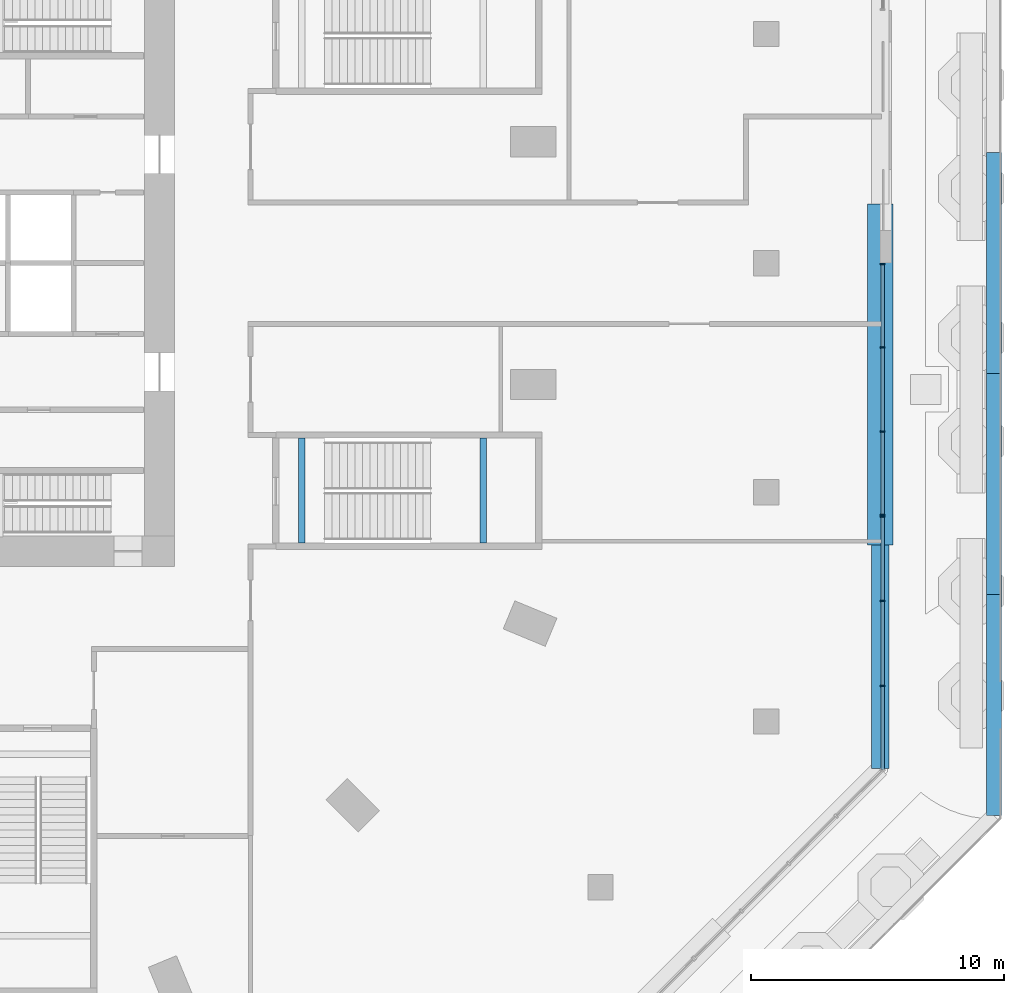
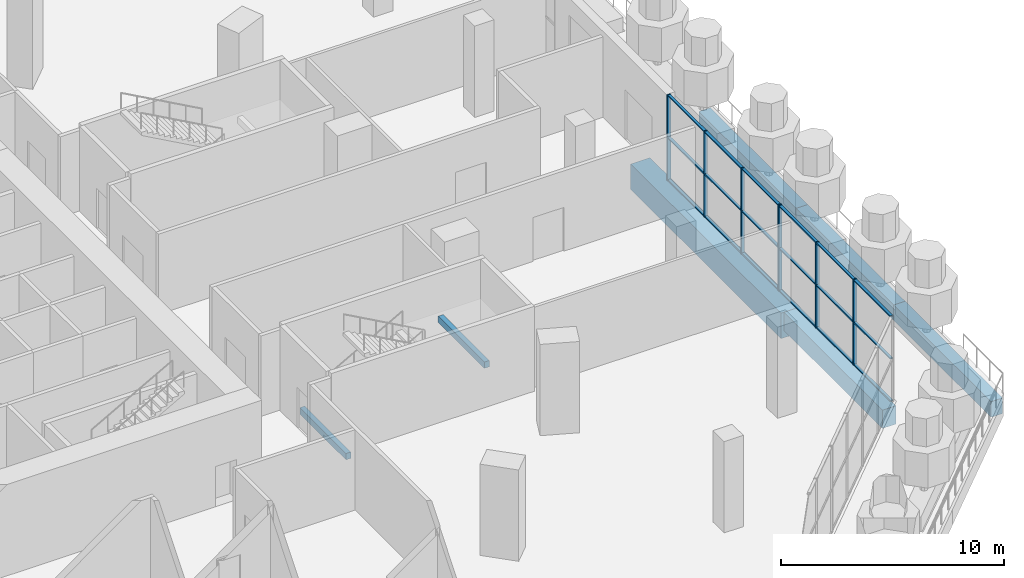
# One storey, part 10 of 32: 25 members, 7 beams, 2 elements without a shape of their own.
"""IFC4 building model written with IfcOpenShell, lengths in metres."""

from ifc_helpers import new_model, si_unit, direction, frame, origin, origin_2d, place, context, subcontext, project, spatial, rectangle, extrude, material, material_profile, profile_set, type_object, element, aggregate, save


model = new_model("IFC4")

# Units and contexts
model_context = context("Model", 3, precision=1e-05, world=origin(), true_north=direction((0.0, 1.0)))
body_context = subcontext(model_context, "Body", "Model", "MODEL_VIEW")
ifc_project = project(units=[si_unit("LENGTHUNIT", "METRE"), si_unit("AREAUNIT", "SQUARE_METRE"), si_unit("VOLUMEUNIT", "CUBIC_METRE"), si_unit("PLANEANGLEUNIT", "RADIAN"), si_unit("MASSUNIT", "GRAM", prefix="KILO")], contexts=[model_context])

# Site, building, storey
site_placement = place(None, origin())
site = spatial("IfcSite", under=ifc_project, at=site_placement, CompositionType="ELEMENT")
building_placement = place(site_placement, origin())
building = spatial("IfcBuilding", under=site, at=building_placement, Name="Msitu Wima Residences", CompositionType="ELEMENT")
storey_placement = place(building_placement, frame((0.0, 0.0, 6.0)))
storey = spatial("IfcBuildingStorey", under=building, at=storey_placement, Name="L01", CompositionType="ELEMENT", Elevation=6.0)

# Beams
ifc_material_1 = material(Name="Concrete C40/50", Category="concrete")
ifc_material_profile_1 = material_profile(ifc_material_1, rectangle(XDim=0.25, YDim=0.35009765625, at=origin_2d()), Name="RC 250x350")
ifc_profile_set_1 = profile_set([ifc_material_profile_1], Name="Concrete C40/50")
beam_type_1 = type_object("IfcBeamType", Name="Landing beam RC 250x350", PredefinedType="BEAM", material=ifc_profile_set_1)
for number, where, z_axis, x_axis, name in (
    (1, (26.60009765625, -6.925048828125, 2.125), (0.0, -1.0, 0.0), (1.0, 0.0, 0.0), "Podium exit stair 2 landing beam"),
    (2, (19.425048828125, -6.925048828125, -0.375), (0.0, -1.0, 0.0), (1.0, 0.0, 0.0), "Podium exit stair 2 floor landing beam"),
):
    element("IfcBeam", number, at=place(storey_placement, frame(where, z_axis=z_axis, x_axis=x_axis)), inside=storey, type_object=beam_type_1, Name=name, PredefinedType="BEAM", context=body_context, shape_type="SweptSolid", body=[
        extrude(rectangle(XDim=0.25, YDim=0.35009765625, at=origin_2d()), origin(), (0.0, 0.0, 1.0), 4.14990234375),
    ])

# Curtain wall, members
ifc_material_2 = material(Name="Anodised aluminium, bronze finish, clear low-emissivity double glazing", Category="aluminium")
curtain_wall_type = type_object("IfcCurtainWallType", Name="Curtain wall CW5 retail shopfront", PredefinedType="NOTDEFINED", material=ifc_material_2)
curtain_wall_1_placement = place(storey_placement, origin())
curtain_wall_1 = element("IfcCurtainWall", 3, at=curtain_wall_1_placement, inside=storey, type_object=curtain_wall_type, Name="Curtain wall CW5 L01 E0", PredefinedType="NOTDEFINED")
ifc_material_3 = material(Name="Anodised aluminium, bronze finish", Category="aluminium")
ifc_material_profile_2 = material_profile(ifc_material_3, rectangle(XDim=0.179931640625, YDim=0.06494140625, at=origin_2d()), Name="Mullion 65x180")
ifc_profile_set_2 = profile_set([ifc_material_profile_2], Name="Anodised aluminium, bronze finish")
member_type_1 = type_object("IfcMemberType", Name="Mullion CW5 65x180", PredefinedType="MULLION", material=ifc_profile_set_2)
member_1_placement = place(storey_placement, frame((42.39990234375, -16.721923828125, 0.0), z_axis=(0.0, 0.0, 1.0), x_axis=(-1.0, 0.0, 0.0)))
member_1 = element("IfcMember", 4, at=member_1_placement, type_object=member_type_1, Name="CW5 mullion 2", PredefinedType="MULLION", context=body_context, shape_type="SweptSolid", body=[
    extrude(rectangle(XDim=0.179931640625, YDim=0.06494140625, at=origin_2d()), origin(), (0.0, 0.0, 1.0), 4.699951171875),
])
member_2_placement = place(storey_placement, frame((42.39990234375, -13.35888671875, 0.0), z_axis=(0.0, 0.0, 1.0), x_axis=(-1.0, 0.0, 0.0)))
member_2 = element("IfcMember", 5, at=member_2_placement, type_object=member_type_1, Name="CW5 mullion 3", PredefinedType="MULLION", context=body_context, shape_type="SweptSolid", body=[
    extrude(rectangle(XDim=0.179931640625, YDim=0.06494140625, at=origin_2d()), origin(), (0.0, 0.0, 1.0), 4.699951171875),
])
member_3_placement = place(storey_placement, frame((42.39990234375, -10.0283203125, 0.0), z_axis=(0.0, 0.0, 1.0), x_axis=(-1.0, 0.0, 0.0)))
member_3 = element("IfcMember", 6, at=member_3_placement, type_object=member_type_1, Name="CW5 mullion 4", PredefinedType="MULLION", context=body_context, shape_type="SweptSolid", body=[
    extrude(rectangle(XDim=0.179931640625, YDim=0.06494140625, at=origin_2d()), origin(), (0.0, 0.0, 1.0), 4.699951171875),
])

curtain_wall_2_placement = place(storey_placement, origin())
curtain_wall_2 = element("IfcCurtainWall", 7, at=curtain_wall_2_placement, inside=storey, type_object=curtain_wall_type, Name="Curtain wall CW5 L01 E1", PredefinedType="NOTDEFINED")
member_4_placement = place(storey_placement, frame((42.39990234375, -9.96337890625, 0.0), z_axis=(0.0, 0.0, 1.0), x_axis=(-1.0, 0.0, 0.0)))
member_4 = element("IfcMember", 8, at=member_4_placement, type_object=member_type_1, Name="CW5 mullion 1", PredefinedType="MULLION", context=body_context, shape_type="SweptSolid", body=[
    extrude(rectangle(XDim=0.179931640625, YDim=0.06494140625, at=origin_2d()), origin(), (0.0, 0.0, 1.0), 4.699951171875),
])
member_5_placement = place(storey_placement, frame((42.39990234375, -6.6640625, 0.0), z_axis=(0.0, 0.0, 1.0), x_axis=(-1.0, 0.0, 0.0)))
member_5 = element("IfcMember", 9, at=member_5_placement, type_object=member_type_1, Name="CW5 mullion 2", PredefinedType="MULLION", context=body_context, shape_type="SweptSolid", body=[
    extrude(rectangle(XDim=0.179931640625, YDim=0.06494140625, at=origin_2d()), origin(), (0.0, 0.0, 1.0), 4.699951171875),
])
member_6_placement = place(storey_placement, frame((42.39990234375, -3.33203125, 0.0), z_axis=(0.0, 0.0, 1.0), x_axis=(-1.0, 0.0, 0.0)))
member_6 = element("IfcMember", 10, at=member_6_placement, type_object=member_type_1, Name="CW5 mullion 3", PredefinedType="MULLION", context=body_context, shape_type="SweptSolid", body=[
    extrude(rectangle(XDim=0.179931640625, YDim=0.06494140625, at=origin_2d()), origin(), (0.0, 0.0, 1.0), 4.699951171875),
])
member_7_placement = place(storey_placement, frame((42.39990234375, -0.032470703125, 0.0), z_axis=(0.0, 0.0, 1.0), x_axis=(-1.0, 0.0, 0.0)))
member_7 = element("IfcMember", 11, at=member_7_placement, type_object=member_type_1, Name="CW5 mullion 4", PredefinedType="MULLION", context=body_context, shape_type="SweptSolid", body=[
    extrude(rectangle(XDim=0.179931640625, YDim=0.06494140625, at=origin_2d()), origin(), (0.0, 0.0, 1.0), 4.699951171875),
])

# Beams
ifc_material_4 = material(Name="Concrete C60/75", Category="concrete")
ifc_material_profile_3 = material_profile(ifc_material_4, rectangle(XDim=1.0, YDim=1.39990234375, at=origin_2d()), Name="RC 1000x1400")
ifc_profile_set_3 = profile_set([ifc_material_profile_3], Name="Concrete C60/75")
beam_type_2 = type_object("IfcBeamType", Name="Terrace beam RC 1000x1400 Concrete C60/75", PredefinedType="BEAM", material=ifc_profile_set_3)
beam_1_placement = place(storey_placement, frame((42.300048828125, -11.14404296875, -1.050048828125), z_axis=(0.0, 1.0, 0.0), x_axis=(-1.0, 0.0, 0.0)))
element("IfcBeam", 12, at=beam_1_placement, inside=storey, type_object=beam_type_2, Name="Terrace upstand-line beam L01 T13", PredefinedType="BEAM", context=body_context, shape_type="SweptSolid", body=[
    extrude(rectangle(XDim=1.0, YDim=1.39990234375, at=origin_2d()), origin(), (0.0, 0.0, 1.0), 13.485595703125),
])
ifc_material_profile_4 = material_profile(ifc_material_4, rectangle(XDim=0.60009765625, YDim=0.85009765625, at=origin_2d()), Name="RC 600x850")
ifc_profile_set_4 = profile_set([ifc_material_profile_4], Name="Concrete C60/75")
beam_type_3 = type_object("IfcBeamType", Name="Terrace beam RC 600x850 Concrete C60/75", PredefinedType="BEAM", material=ifc_profile_set_4)
for number, where, z_axis, x_axis, name in (
    (13, (46.800048828125, -21.85595703125, -0.77490234375), (0.0, 1.0, 0.0), (-1.0, 0.0, 0.0), "Terrace edge beam L00 C-E0"),
    (14, (46.800048828125, -13.113525390625, -0.77490234375), (0.0, 1.0, 0.0), (-1.0, 0.0, 0.0), "Terrace edge beam L00 C-E1"),
):
    element("IfcBeam", number, at=place(storey_placement, frame(where, z_axis=z_axis, x_axis=x_axis)), inside=storey, type_object=beam_type_3, Name=name, PredefinedType="BEAM", context=body_context, shape_type="SweptSolid", body=[
        extrude(rectangle(XDim=0.60009765625, YDim=0.85009765625, at=origin_2d()), origin(), (0.0, 0.0, 1.0), 8.742431640625),
    ])
beam_2_placement = place(storey_placement, frame((46.800048828125, -4.37109375, -0.77490234375), z_axis=(0.0, 1.0, 0.0), x_axis=(-1.0, 0.0, 0.0)))
element("IfcBeam", 15, at=beam_2_placement, inside=storey, type_object=beam_type_3, Name="Terrace edge beam L00 C-E2", PredefinedType="BEAM", context=body_context, shape_type="SweptSolid", body=[
    extrude(rectangle(XDim=0.60009765625, YDim=0.85009765625, at=origin_2d()), origin(), (0.0, 0.0, 1.0), 8.7421875),
])
ifc_material_profile_5 = material_profile(ifc_material_4, rectangle(XDim=0.699951171875, YDim=1.0, at=origin_2d()), Name="RC 700x1000")
ifc_profile_set_5 = profile_set([ifc_material_profile_5], Name="Concrete C60/75")
beam_type_4 = type_object("IfcBeamType", Name="Terrace beam RC 700x1000 Concrete C60/75", PredefinedType="BEAM", material=ifc_profile_set_5)
beam_3_placement = place(storey_placement, frame((42.300048828125, -19.991943359375, -0.85009765625), z_axis=(0.0, 1.0, 0.0), x_axis=(-1.0, 0.0, 0.0)))
element("IfcBeam", 16, at=beam_3_placement, inside=storey, type_object=beam_type_4, Name="Terrace upstand-line beam L01 T12", PredefinedType="BEAM", context=body_context, shape_type="SweptSolid", body=[
    extrude(rectangle(XDim=0.699951171875, YDim=1.0, at=origin_2d()), origin(), (0.0, 0.0, 1.0), 8.847900390625),
])

# Member
ifc_material_profile_6 = material_profile(ifc_material_3, rectangle(XDim=0.139892578125, YDim=0.06494140625, at=origin_2d()), Name="Transom 65x140")
ifc_profile_set_6 = profile_set([ifc_material_profile_6], Name="Anodised aluminium, bronze finish")
member_type_2 = type_object("IfcMemberType", Name="Transom CW5 65x140", PredefinedType="USERDEFINED", material=ifc_profile_set_6)
member_8_placement = place(storey_placement, frame((42.39990234375, -20.02001953125, 0.032470703125), z_axis=(0.0, 1.0, 0.0), x_axis=(-1.0, 0.0, 0.0)))
member_8 = element("IfcMember", 17, at=member_8_placement, type_object=member_type_2, Name="CW5 transom 1.1", ObjectType="TRANSOM", PredefinedType="USERDEFINED", context=body_context, shape_type="SweptSolid", body=[
    extrude(rectangle(XDim=0.139892578125, YDim=0.06494140625, at=origin_2d()), origin(), (0.0, 0.0, 1.0), 3.265380859375),
])

member_9_placement = place(storey_placement, frame((42.39990234375, -20.02001953125, 2.35009765625), z_axis=(0.0, 1.0, 0.0), x_axis=(-1.0, 0.0, 0.0)))
member_9 = element("IfcMember", 18, at=member_9_placement, type_object=member_type_2, Name="CW5 transom 1.2", ObjectType="TRANSOM", PredefinedType="USERDEFINED", context=body_context, shape_type="SweptSolid", body=[
    extrude(rectangle(XDim=0.139892578125, YDim=0.06494140625, at=origin_2d()), origin(), (0.0, 0.0, 1.0), 3.265380859375),
])

member_10_placement = place(storey_placement, frame((42.39990234375, -20.02001953125, 4.66748046875), z_axis=(0.0, 1.0, 0.0), x_axis=(-1.0, 0.0, 0.0)))
member_10 = element("IfcMember", 19, at=member_10_placement, type_object=member_type_2, Name="CW5 transom 1.3", ObjectType="TRANSOM", PredefinedType="USERDEFINED", context=body_context, shape_type="SweptSolid", body=[
    extrude(rectangle(XDim=0.139892578125, YDim=0.06494140625, at=origin_2d()), origin(), (0.0, 0.0, 1.0), 3.265380859375),
])

member_11_placement = place(storey_placement, frame((42.39990234375, -16.689453125, 0.032470703125), z_axis=(0.0, 1.0, 0.0), x_axis=(-1.0, 0.0, 0.0)))
member_11 = element("IfcMember", 20, at=member_11_placement, type_object=member_type_2, Name="CW5 transom 2.1", ObjectType="TRANSOM", PredefinedType="USERDEFINED", context=body_context, shape_type="SweptSolid", body=[
    extrude(rectangle(XDim=0.139892578125, YDim=0.06494140625, at=origin_2d()), origin(), (0.0, 0.0, 1.0), 3.2978515625),
])

member_12_placement = place(storey_placement, frame((42.39990234375, -16.689453125, 2.35009765625), z_axis=(0.0, 1.0, 0.0), x_axis=(-1.0, 0.0, 0.0)))
member_12 = element("IfcMember", 21, at=member_12_placement, type_object=member_type_2, Name="CW5 transom 2.2", ObjectType="TRANSOM", PredefinedType="USERDEFINED", context=body_context, shape_type="SweptSolid", body=[
    extrude(rectangle(XDim=0.139892578125, YDim=0.06494140625, at=origin_2d()), origin(), (0.0, 0.0, 1.0), 3.2978515625),
])

member_13_placement = place(storey_placement, frame((42.39990234375, -16.689453125, 4.66748046875), z_axis=(0.0, 1.0, 0.0), x_axis=(-1.0, 0.0, 0.0)))
member_13 = element("IfcMember", 22, at=member_13_placement, type_object=member_type_2, Name="CW5 transom 2.3", ObjectType="TRANSOM", PredefinedType="USERDEFINED", context=body_context, shape_type="SweptSolid", body=[
    extrude(rectangle(XDim=0.139892578125, YDim=0.06494140625, at=origin_2d()), origin(), (0.0, 0.0, 1.0), 3.2978515625),
])

member_14_placement = place(storey_placement, frame((42.39990234375, -13.326416015625, 0.032470703125), z_axis=(0.0, 1.0, 0.0), x_axis=(-1.0, 0.0, 0.0)))
member_14 = element("IfcMember", 23, at=member_14_placement, type_object=member_type_2, Name="CW5 transom 3.1", ObjectType="TRANSOM", PredefinedType="USERDEFINED", context=body_context, shape_type="SweptSolid", body=[
    extrude(rectangle(XDim=0.139892578125, YDim=0.06494140625, at=origin_2d()), origin(), (0.0, 0.0, 1.0), 3.265380859375),
])

member_15_placement = place(storey_placement, frame((42.39990234375, -13.326416015625, 2.35009765625), z_axis=(0.0, 1.0, 0.0), x_axis=(-1.0, 0.0, 0.0)))
member_15 = element("IfcMember", 24, at=member_15_placement, type_object=member_type_2, Name="CW5 transom 3.2", ObjectType="TRANSOM", PredefinedType="USERDEFINED", context=body_context, shape_type="SweptSolid", body=[
    extrude(rectangle(XDim=0.139892578125, YDim=0.06494140625, at=origin_2d()), origin(), (0.0, 0.0, 1.0), 3.265380859375),
])

member_16_placement = place(storey_placement, frame((42.39990234375, -13.326416015625, 4.66748046875), z_axis=(0.0, 1.0, 0.0), x_axis=(-1.0, 0.0, 0.0)))
member_16 = element("IfcMember", 25, at=member_16_placement, type_object=member_type_2, Name="CW5 transom 3.3", ObjectType="TRANSOM", PredefinedType="USERDEFINED", context=body_context, shape_type="SweptSolid", body=[
    extrude(rectangle(XDim=0.139892578125, YDim=0.06494140625, at=origin_2d()), origin(), (0.0, 0.0, 1.0), 3.265380859375),
])

aggregate(curtain_wall_1, [member_1, member_2, member_3, member_8, member_9, member_10, member_11, member_12, member_13, member_14, member_15, member_16])

member_17_placement = place(storey_placement, frame((42.39990234375, -9.930908203125, 0.032470703125), z_axis=(0.0, 1.0, 0.0), x_axis=(-1.0, 0.0, 0.0)))
member_17 = element("IfcMember", 26, at=member_17_placement, type_object=member_type_2, Name="CW5 transom 1.1", ObjectType="TRANSOM", PredefinedType="USERDEFINED", context=body_context, shape_type="SweptSolid", body=[
    extrude(rectangle(XDim=0.139892578125, YDim=0.06494140625, at=origin_2d()), origin(), (0.0, 0.0, 1.0), 3.234375),
])

member_18_placement = place(storey_placement, frame((42.39990234375, -9.930908203125, 2.35009765625), z_axis=(0.0, 1.0, 0.0), x_axis=(-1.0, 0.0, 0.0)))
member_18 = element("IfcMember", 27, at=member_18_placement, type_object=member_type_2, Name="CW5 transom 1.2", ObjectType="TRANSOM", PredefinedType="USERDEFINED", context=body_context, shape_type="SweptSolid", body=[
    extrude(rectangle(XDim=0.139892578125, YDim=0.06494140625, at=origin_2d()), origin(), (0.0, 0.0, 1.0), 3.234375),
])

member_19_placement = place(storey_placement, frame((42.39990234375, -9.930908203125, 4.66748046875), z_axis=(0.0, 1.0, 0.0), x_axis=(-1.0, 0.0, 0.0)))
member_19 = element("IfcMember", 28, at=member_19_placement, type_object=member_type_2, Name="CW5 transom 1.3", ObjectType="TRANSOM", PredefinedType="USERDEFINED", context=body_context, shape_type="SweptSolid", body=[
    extrude(rectangle(XDim=0.139892578125, YDim=0.06494140625, at=origin_2d()), origin(), (0.0, 0.0, 1.0), 3.234375),
])

member_20_placement = place(storey_placement, frame((42.39990234375, -6.63134765625, 0.032470703125), z_axis=(0.0, 1.0, 0.0), x_axis=(-1.0, 0.0, 0.0)))
member_20 = element("IfcMember", 29, at=member_20_placement, type_object=member_type_2, Name="CW5 transom 2.1", ObjectType="TRANSOM", PredefinedType="USERDEFINED", context=body_context, shape_type="SweptSolid", body=[
    extrude(rectangle(XDim=0.139892578125, YDim=0.06494140625, at=origin_2d()), origin(), (0.0, 0.0, 1.0), 3.266845703125),
])

member_21_placement = place(storey_placement, frame((42.39990234375, -6.63134765625, 2.35009765625), z_axis=(0.0, 1.0, 0.0), x_axis=(-1.0, 0.0, 0.0)))
member_21 = element("IfcMember", 30, at=member_21_placement, type_object=member_type_2, Name="CW5 transom 2.2", ObjectType="TRANSOM", PredefinedType="USERDEFINED", context=body_context, shape_type="SweptSolid", body=[
    extrude(rectangle(XDim=0.139892578125, YDim=0.06494140625, at=origin_2d()), origin(), (0.0, 0.0, 1.0), 3.266845703125),
])

member_22_placement = place(storey_placement, frame((42.39990234375, -6.63134765625, 4.66748046875), z_axis=(0.0, 1.0, 0.0), x_axis=(-1.0, 0.0, 0.0)))
member_22 = element("IfcMember", 31, at=member_22_placement, type_object=member_type_2, Name="CW5 transom 2.3", ObjectType="TRANSOM", PredefinedType="USERDEFINED", context=body_context, shape_type="SweptSolid", body=[
    extrude(rectangle(XDim=0.139892578125, YDim=0.06494140625, at=origin_2d()), origin(), (0.0, 0.0, 1.0), 3.266845703125),
])

member_23_placement = place(storey_placement, frame((42.39990234375, -3.299560546875, 0.032470703125), z_axis=(0.0, 1.0, 0.0), x_axis=(-1.0, 0.0, 0.0)))
member_23 = element("IfcMember", 32, at=member_23_placement, type_object=member_type_2, Name="CW5 transom 3.1", ObjectType="TRANSOM", PredefinedType="USERDEFINED", context=body_context, shape_type="SweptSolid", body=[
    extrude(rectangle(XDim=0.139892578125, YDim=0.06494140625, at=origin_2d()), origin(), (0.0, 0.0, 1.0), 3.234619140625),
])

member_24_placement = place(storey_placement, frame((42.39990234375, -3.299560546875, 2.35009765625), z_axis=(0.0, 1.0, 0.0), x_axis=(-1.0, 0.0, 0.0)))
member_24 = element("IfcMember", 33, at=member_24_placement, type_object=member_type_2, Name="CW5 transom 3.2", ObjectType="TRANSOM", PredefinedType="USERDEFINED", context=body_context, shape_type="SweptSolid", body=[
    extrude(rectangle(XDim=0.139892578125, YDim=0.06494140625, at=origin_2d()), origin(), (0.0, 0.0, 1.0), 3.234619140625),
])

member_25_placement = place(storey_placement, frame((42.39990234375, -3.299560546875, 4.66748046875), z_axis=(0.0, 1.0, 0.0), x_axis=(-1.0, 0.0, 0.0)))
member_25 = element("IfcMember", 34, at=member_25_placement, type_object=member_type_2, Name="CW5 transom 3.3", ObjectType="TRANSOM", PredefinedType="USERDEFINED", context=body_context, shape_type="SweptSolid", body=[
    extrude(rectangle(XDim=0.139892578125, YDim=0.06494140625, at=origin_2d()), origin(), (0.0, 0.0, 1.0), 3.234619140625),
])

aggregate(curtain_wall_2, [member_4, member_5, member_6, member_7, member_17, member_18, member_19, member_20, member_21, member_22, member_23, member_24, member_25])

save(model, "model.ifc")
